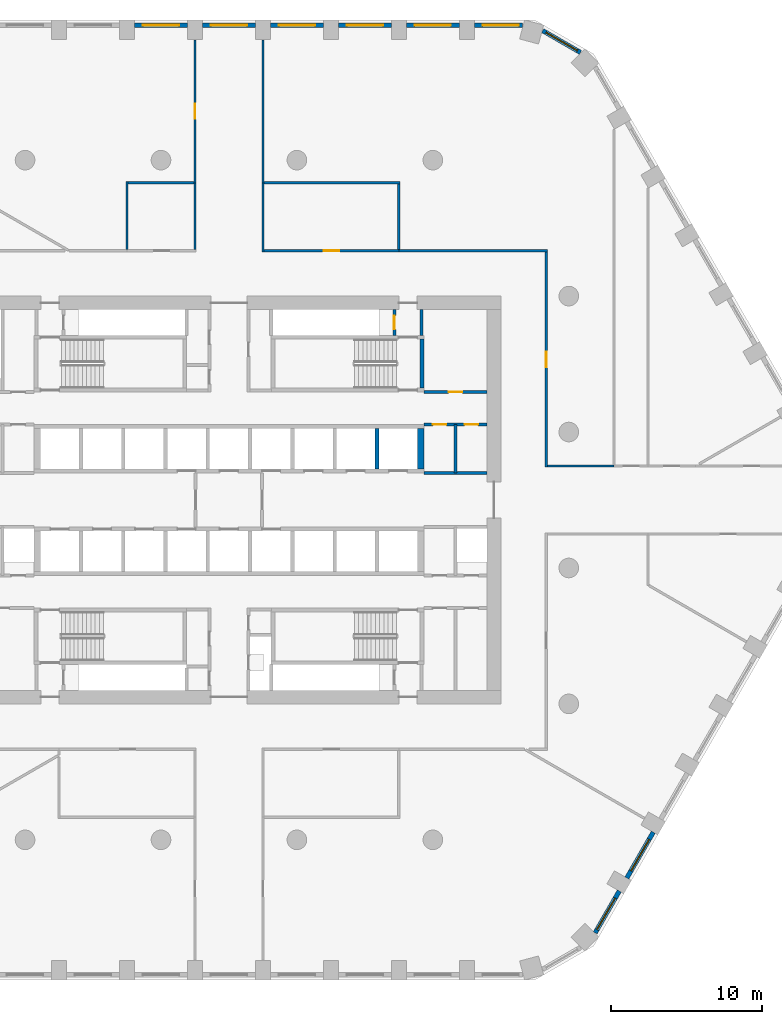
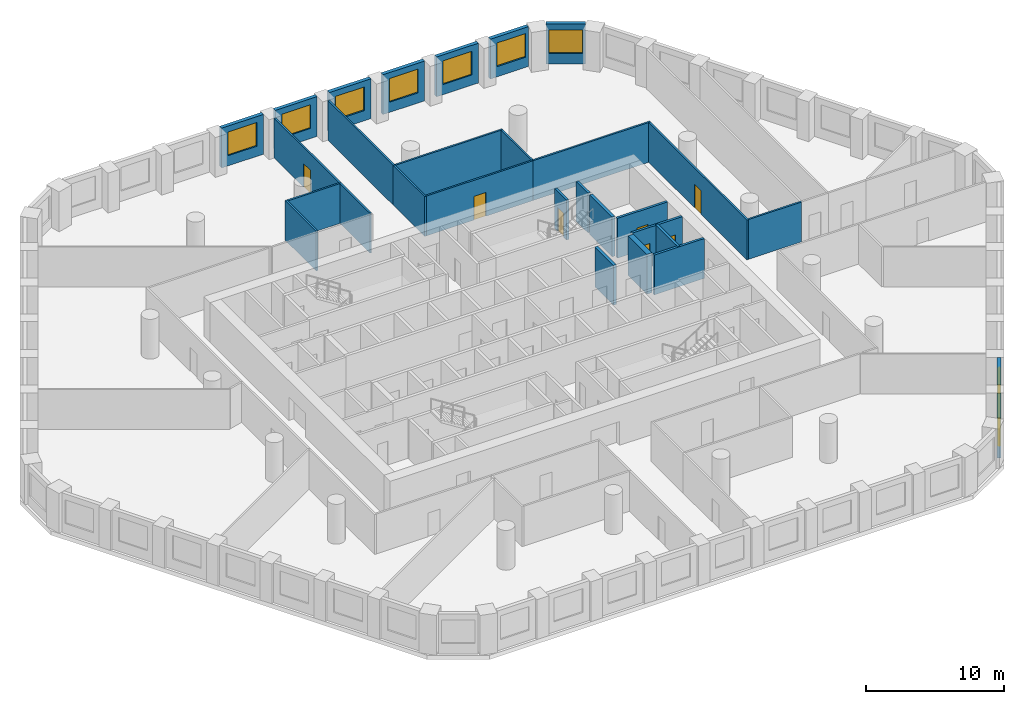
# One storey, part 7 of 10: 30 walls, 9 windows, 7 doors, 16 openings.
"""IFC4 building model written with IfcOpenShell, lengths in metres."""

from ifc_helpers import new_model, si_unit, direction, frame, frame_2d, origin, place, context, subcontext, project, spatial, polyline, rectangle, outline, extrude, material, layer, layer_set, type_object, element, fill, save


model = new_model("IFC4")

# Units and contexts
model_context = context("Model", 3, precision=1e-05, world=origin(), true_north=direction((0.0, 1.0)))
body_context = subcontext(model_context, "Body", "Model", "MODEL_VIEW")
ifc_project = project(units=[si_unit("LENGTHUNIT", "METRE"), si_unit("AREAUNIT", "SQUARE_METRE"), si_unit("VOLUMEUNIT", "CUBIC_METRE"), si_unit("PLANEANGLEUNIT", "RADIAN"), si_unit("MASSUNIT", "GRAM", prefix="KILO")], contexts=[model_context])

# Site, building, storey
site_placement = place(None, origin())
site = spatial("IfcSite", under=ifc_project, at=site_placement, CompositionType="ELEMENT")
building_placement = place(site_placement, origin())
building = spatial("IfcBuilding", under=site, at=building_placement, Name="Dhurran Vertical Campus", CompositionType="ELEMENT")
storey_placement = place(building_placement, frame((0.0, 0.0, 89.10009765625)))
storey = spatial("IfcBuildingStorey", under=building, at=storey_placement, Name="L21", CompositionType="ELEMENT", Elevation=89.10009765625)

# Wall, opening, window
ifc_material_1 = material(Name="Precast concrete C50/60", Category="concrete")
ifc_layer_1 = layer(ifc_material_1, 0.300048828125)
ifc_layer_set_1 = layer_set([ifc_layer_1], Name="Precast concrete C50/60")
wall_type_1 = type_object("IfcWallType", Name="Precast spandrel wall 300", PredefinedType="SOLIDWALL", material=ifc_layer_set_1)
wall_1_placement = place(storey_placement, frame((24.24755859375, -28.65576171875, 0.0), z_axis=(0.0, 0.0, 1.0), x_axis=(0.500004907028, 0.866022570692, 0.0)))
wall_1 = element("IfcWall", 1, at=wall_1_placement, inside=storey, type_object=wall_type_1, Name="EW1 L21.10", PredefinedType="SOLIDWALL", context=body_context, shape_type="SweptSolid", body=[
    extrude(rectangle(XDim=3.1923828125, YDim=0.300048828125, at=frame_2d((1.59619140625, 0.0))), origin(), (0.0, 0.0, 1.0), 3.52490234375),
])
opening_1_placement = place(wall_1_placement, frame((0.242919921875, 0.0, 0.89990234375)))
opening_1 = element("IfcOpeningElement", 2, at=opening_1_placement, cuts=wall_1, Name="Opening WT1", PredefinedType="OPENING", context=body_context, shape_type="SweptSolid", body=[
    extrude(rectangle(XDim=2.39990234375, YDim=2.10009765625, at=frame_2d((1.199951171875, 1.050048828125))), frame((0.0, 0.159912109375, 0.0), z_axis=(0.0, -1.0, 0.0), x_axis=(1.0, 0.0, 0.0)), (0.0, 0.0, 1.0), 0.320068359375),
])
ifc_material_2 = material(Name="Aluminium frame with solar-control glass", Category="aluminium")
window_type = type_object("IfcWindowType", Name="Punched window 2400 x 2100", PartitioningType="SINGLE_PANEL", PredefinedType="WINDOW", material=ifc_material_2)
window_1_placement = place(opening_1_placement, origin())
window_1 = element("IfcWindow", 3, at=window_1_placement, inside=storey, type_object=window_type, Name="WT1 L21.10", OverallHeight=2.10009765625, OverallWidth=2.39990234375, PartitioningType="SINGLE_PANEL", PredefinedType="WINDOW", context=body_context, shape_type="SweptSolid", body=[
    extrude(rectangle(XDim=2.39990234375, YDim=2.10009765625, at=frame_2d((1.199951171875, 1.050048828125))), frame((0.0, 0.030029296875, 0.0), z_axis=(0.0, -1.0, 0.0), x_axis=(1.0, 0.0, 0.0)), (0.0, 0.0, 1.0), 0.06005859375),
])
fill(opening_1, window_1)

wall_2_placement = place(storey_placement, frame((26.34423828125, -25.024169921875, 0.0), z_axis=(0.0, 0.0, 1.0), x_axis=(0.499996256241, 0.866027565234, 0.0)))
wall_2 = element("IfcWall", 4, at=wall_2_placement, inside=storey, type_object=wall_type_1, Name="EW1 L21.11", PredefinedType="SOLIDWALL", context=body_context, shape_type="SweptSolid", body=[
    extrude(rectangle(XDim=3.4990234375, YDim=0.300048828125, at=frame_2d((1.74951171875, 0.0))), origin(), (0.0, 0.0, 1.0), 3.52490234375),
])
opening_2_placement = place(wall_2_placement, frame((0.549560546875, 0.0, 0.89990234375)))
opening_2 = element("IfcOpeningElement", 5, at=opening_2_placement, cuts=wall_2, Name="Opening WT1", PredefinedType="OPENING", context=body_context, shape_type="SweptSolid", body=[
    extrude(rectangle(XDim=2.39990234375, YDim=2.10009765625, at=frame_2d((1.199951171875, 1.050048828125))), frame((0.0, 0.159912109375, 0.0), z_axis=(0.0, -1.0, 0.0), x_axis=(1.0, 0.0, 0.0)), (0.0, 0.0, 1.0), 0.320068359375),
])
window_2_placement = place(opening_2_placement, origin())
window_2 = element("IfcWindow", 6, at=window_2_placement, inside=storey, type_object=window_type, Name="WT1 L21.11", OverallHeight=2.10009765625, OverallWidth=2.39990234375, PartitioningType="SINGLE_PANEL", PredefinedType="WINDOW", context=body_context, shape_type="SweptSolid", body=[
    extrude(rectangle(XDim=2.39990234375, YDim=2.10009765625, at=frame_2d((1.199951171875, 1.050048828125))), frame((0.0, 0.030029296875, 0.0), z_axis=(0.0, -1.0, 0.0), x_axis=(1.0, 0.0, 0.0)), (0.0, 0.0, 1.0), 0.06005859375),
])
fill(opening_2, window_2)

wall_3_placement = place(storey_placement, frame((23.273193359375, 29.63037109375, 0.0), z_axis=(0.0, 0.0, 1.0), x_axis=(-0.866053149362, 0.49995194017, 0.0)))
wall_3 = element("IfcWall", 7, at=wall_3_placement, inside=storey, type_object=wall_type_1, Name="EW1 L21.25", PredefinedType="SOLIDWALL", context=body_context, shape_type="SweptSolid", body=[
    extrude(rectangle(XDim=2.885498046875, YDim=0.300048828125, at=frame_2d((1.44287109375, 0.0))), origin(), (0.0, 0.0, 1.0), 3.52490234375),
])
opening_3_placement = place(wall_3_placement, frame((0.242919921875, 0.0, 0.89990234375)))
opening_3 = element("IfcOpeningElement", 8, at=opening_3_placement, cuts=wall_3, Name="Opening WT1", PredefinedType="OPENING", context=body_context, shape_type="SweptSolid", body=[
    extrude(rectangle(XDim=2.39990234375, YDim=2.10009765625, at=frame_2d((1.199951171875, 1.050048828125))), frame((0.0, 0.159912109375, 0.0), z_axis=(0.0, -1.0, 0.0), x_axis=(1.0, 0.0, 0.0)), (0.0, 0.0, 1.0), 0.320068359375),
])
window_3_placement = place(opening_3_placement, origin())
window_3 = element("IfcWindow", 9, at=window_3_placement, inside=storey, type_object=window_type, Name="WT1 L21.25", OverallHeight=2.10009765625, OverallWidth=2.39990234375, PartitioningType="SINGLE_PANEL", PredefinedType="WINDOW", context=body_context, shape_type="SweptSolid", body=[
    extrude(rectangle(XDim=2.39990234375, YDim=2.10009765625, at=frame_2d((1.199951171875, 1.050048828125))), frame((0.0, 0.030029296875, 0.0), z_axis=(0.0, -1.0, 0.0), x_axis=(1.0, 0.0, 0.0)), (0.0, 0.0, 1.0), 0.06005859375),
])
fill(opening_3, window_3)

wall_4_placement = place(storey_placement, frame((19.44287109375, 31.4296875, 0.0), z_axis=(0.0, 0.0, 1.0), x_axis=(-1.0, 0.0, 0.0)))
wall_4 = element("IfcWall", 10, at=wall_4_placement, inside=storey, type_object=wall_type_1, Name="EW1 L21.26", PredefinedType="SOLIDWALL", context=body_context, shape_type="SweptSolid", body=[
    extrude(rectangle(XDim=3.1923828125, YDim=0.300048828125, at=frame_2d((1.59619140625, 0.0))), origin(), (0.0, 0.0, 1.0), 3.52490234375),
])
opening_4_placement = place(wall_4_placement, frame((0.242919921875, 0.0, 0.89990234375)))
opening_4 = element("IfcOpeningElement", 11, at=opening_4_placement, cuts=wall_4, Name="Opening WT1", PredefinedType="OPENING", context=body_context, shape_type="SweptSolid", body=[
    extrude(rectangle(XDim=2.39990234375, YDim=2.10009765625, at=frame_2d((1.199951171875, 1.050048828125))), frame((0.0, 0.159912109375, 0.0), z_axis=(0.0, -1.0, 0.0), x_axis=(1.0, 0.0, 0.0)), (0.0, 0.0, 1.0), 0.320068359375),
])
window_4_placement = place(opening_4_placement, origin())
window_4 = element("IfcWindow", 12, at=window_4_placement, inside=storey, type_object=window_type, Name="WT1 L21.26", OverallHeight=2.10009765625, OverallWidth=2.39990234375, PartitioningType="SINGLE_PANEL", PredefinedType="WINDOW", context=body_context, shape_type="SweptSolid", body=[
    extrude(rectangle(XDim=2.39990234375, YDim=2.10009765625, at=frame_2d((1.199951171875, 1.050048828125))), frame((0.0, 0.030029296875, 0.0), z_axis=(0.0, -1.0, 0.0), x_axis=(1.0, 0.0, 0.0)), (0.0, 0.0, 1.0), 0.06005859375),
])
fill(opening_4, window_4)

wall_5_placement = place(storey_placement, frame((15.24951171875, 31.4296875, 0.0), z_axis=(0.0, 0.0, 1.0), x_axis=(-1.0, 0.0, 0.0)))
wall_5 = element("IfcWall", 13, at=wall_5_placement, inside=storey, type_object=wall_type_1, Name="EW1 L21.27", PredefinedType="SOLIDWALL", context=body_context, shape_type="SweptSolid", body=[
    extrude(rectangle(XDim=3.4990234375, YDim=0.300048828125, at=frame_2d((1.74951171875, 0.0))), origin(), (0.0, 0.0, 1.0), 3.52490234375),
])
opening_5_placement = place(wall_5_placement, frame((0.549560546875, 0.0, 0.89990234375)))
opening_5 = element("IfcOpeningElement", 14, at=opening_5_placement, cuts=wall_5, Name="Opening WT1", PredefinedType="OPENING", context=body_context, shape_type="SweptSolid", body=[
    extrude(rectangle(XDim=2.39990234375, YDim=2.10009765625, at=frame_2d((1.199951171875, 1.050048828125))), frame((0.0, 0.159912109375, 0.0), z_axis=(0.0, -1.0, 0.0), x_axis=(1.0, 0.0, 0.0)), (0.0, 0.0, 1.0), 0.320068359375),
])
window_5_placement = place(opening_5_placement, origin())
window_5 = element("IfcWindow", 15, at=window_5_placement, inside=storey, type_object=window_type, Name="WT1 L21.27", OverallHeight=2.10009765625, OverallWidth=2.39990234375, PartitioningType="SINGLE_PANEL", PredefinedType="WINDOW", context=body_context, shape_type="SweptSolid", body=[
    extrude(rectangle(XDim=2.39990234375, YDim=2.10009765625, at=frame_2d((1.199951171875, 1.050048828125))), frame((0.0, 0.030029296875, 0.0), z_axis=(0.0, -1.0, 0.0), x_axis=(1.0, 0.0, 0.0)), (0.0, 0.0, 1.0), 0.06005859375),
])
fill(opening_5, window_5)

wall_6_placement = place(storey_placement, frame((10.74951171875, 31.4296875, 0.0), z_axis=(0.0, 0.0, 1.0), x_axis=(-1.0, 0.0, 0.0)))
wall_6 = element("IfcWall", 16, at=wall_6_placement, inside=storey, type_object=wall_type_1, Name="EW1 L21.28", PredefinedType="SOLIDWALL", context=body_context, shape_type="SweptSolid", body=[
    extrude(rectangle(XDim=3.4990234375, YDim=0.300048828125, at=frame_2d((1.74951171875, 0.0))), origin(), (0.0, 0.0, 1.0), 3.52490234375),
])
opening_6_placement = place(wall_6_placement, frame((0.549560546875, 0.0, 0.89990234375)))
opening_6 = element("IfcOpeningElement", 17, at=opening_6_placement, cuts=wall_6, Name="Opening WT1", PredefinedType="OPENING", context=body_context, shape_type="SweptSolid", body=[
    extrude(rectangle(XDim=2.39990234375, YDim=2.10009765625, at=frame_2d((1.199951171875, 1.050048828125))), frame((0.0, 0.159912109375, 0.0), z_axis=(0.0, -1.0, 0.0), x_axis=(1.0, 0.0, 0.0)), (0.0, 0.0, 1.0), 0.320068359375),
])
window_6_placement = place(opening_6_placement, origin())
window_6 = element("IfcWindow", 18, at=window_6_placement, inside=storey, type_object=window_type, Name="WT1 L21.28", OverallHeight=2.10009765625, OverallWidth=2.39990234375, PartitioningType="SINGLE_PANEL", PredefinedType="WINDOW", context=body_context, shape_type="SweptSolid", body=[
    extrude(rectangle(XDim=2.39990234375, YDim=2.10009765625, at=frame_2d((1.199951171875, 1.050048828125))), frame((0.0, 0.030029296875, 0.0), z_axis=(0.0, -1.0, 0.0), x_axis=(1.0, 0.0, 0.0)), (0.0, 0.0, 1.0), 0.06005859375),
])
fill(opening_6, window_6)

wall_7_placement = place(storey_placement, frame((6.24951171875, 31.4296875, 0.0), z_axis=(0.0, 0.0, 1.0), x_axis=(-1.0, 0.0, 0.0)))
wall_7 = element("IfcWall", 19, at=wall_7_placement, inside=storey, type_object=wall_type_1, Name="EW1 L21.29", PredefinedType="SOLIDWALL", context=body_context, shape_type="SweptSolid", body=[
    extrude(rectangle(XDim=3.4990234375, YDim=0.300048828125, at=frame_2d((1.74951171875, 0.0))), origin(), (0.0, 0.0, 1.0), 3.52490234375),
])
opening_7_placement = place(wall_7_placement, frame((0.549560546875, 0.0, 0.89990234375)))
opening_7 = element("IfcOpeningElement", 20, at=opening_7_placement, cuts=wall_7, Name="Opening WT1", PredefinedType="OPENING", context=body_context, shape_type="SweptSolid", body=[
    extrude(rectangle(XDim=2.39990234375, YDim=2.10009765625, at=frame_2d((1.199951171875, 1.050048828125))), frame((0.0, 0.159912109375, 0.0), z_axis=(0.0, -1.0, 0.0), x_axis=(1.0, 0.0, 0.0)), (0.0, 0.0, 1.0), 0.320068359375),
])
window_7_placement = place(opening_7_placement, origin())
window_7 = element("IfcWindow", 21, at=window_7_placement, inside=storey, type_object=window_type, Name="WT1 L21.29", OverallHeight=2.10009765625, OverallWidth=2.39990234375, PartitioningType="SINGLE_PANEL", PredefinedType="WINDOW", context=body_context, shape_type="SweptSolid", body=[
    extrude(rectangle(XDim=2.39990234375, YDim=2.10009765625, at=frame_2d((1.199951171875, 1.050048828125))), frame((0.0, 0.030029296875, 0.0), z_axis=(0.0, -1.0, 0.0), x_axis=(1.0, 0.0, 0.0)), (0.0, 0.0, 1.0), 0.06005859375),
])
fill(opening_7, window_7)

wall_8_placement = place(storey_placement, frame((1.74951171875, 31.4296875, 0.0), z_axis=(0.0, 0.0, 1.0), x_axis=(-1.0, 0.0, 0.0)))
wall_8 = element("IfcWall", 22, at=wall_8_placement, inside=storey, type_object=wall_type_1, Name="EW1 L21.30", PredefinedType="SOLIDWALL", context=body_context, shape_type="SweptSolid", body=[
    extrude(rectangle(XDim=3.4990234375, YDim=0.300048828125, at=frame_2d((1.74951171875, 0.0))), origin(), (0.0, 0.0, 1.0), 3.52490234375),
])
opening_8_placement = place(wall_8_placement, frame((0.549560546875, 0.0, 0.89990234375)))
opening_8 = element("IfcOpeningElement", 23, at=opening_8_placement, cuts=wall_8, Name="Opening WT1", PredefinedType="OPENING", context=body_context, shape_type="SweptSolid", body=[
    extrude(rectangle(XDim=2.39990234375, YDim=2.10009765625, at=frame_2d((1.199951171875, 1.050048828125))), frame((0.0, 0.159912109375, 0.0), z_axis=(0.0, -1.0, 0.0), x_axis=(1.0, 0.0, 0.0)), (0.0, 0.0, 1.0), 0.320068359375),
])
window_8_placement = place(opening_8_placement, origin())
window_8 = element("IfcWindow", 24, at=window_8_placement, inside=storey, type_object=window_type, Name="WT1 L21.30", OverallHeight=2.10009765625, OverallWidth=2.39990234375, PartitioningType="SINGLE_PANEL", PredefinedType="WINDOW", context=body_context, shape_type="SweptSolid", body=[
    extrude(rectangle(XDim=2.39990234375, YDim=2.10009765625, at=frame_2d((1.199951171875, 1.050048828125))), frame((0.0, 0.030029296875, 0.0), z_axis=(0.0, -1.0, 0.0), x_axis=(1.0, 0.0, 0.0)), (0.0, 0.0, 1.0), 0.06005859375),
])
fill(opening_8, window_8)

wall_9_placement = place(storey_placement, frame((-2.75048828125, 31.4296875, 0.0), z_axis=(0.0, 0.0, 1.0), x_axis=(-1.0, 0.0, 0.0)))
wall_9 = element("IfcWall", 25, at=wall_9_placement, inside=storey, type_object=wall_type_1, Name="EW1 L21.31", PredefinedType="SOLIDWALL", context=body_context, shape_type="SweptSolid", body=[
    extrude(rectangle(XDim=3.4990234375, YDim=0.300048828125, at=frame_2d((1.74951171875, 0.0))), origin(), (0.0, 0.0, 1.0), 3.52490234375),
])
opening_9_placement = place(wall_9_placement, frame((0.549560546875, 0.0, 0.89990234375)))
opening_9 = element("IfcOpeningElement", 26, at=opening_9_placement, cuts=wall_9, Name="Opening WT1", PredefinedType="OPENING", context=body_context, shape_type="SweptSolid", body=[
    extrude(rectangle(XDim=2.39990234375, YDim=2.10009765625, at=frame_2d((1.199951171875, 1.050048828125))), frame((0.0, 0.159912109375, 0.0), z_axis=(0.0, -1.0, 0.0), x_axis=(1.0, 0.0, 0.0)), (0.0, 0.0, 1.0), 0.320068359375),
])
window_9_placement = place(opening_9_placement, origin())
window_9 = element("IfcWindow", 27, at=window_9_placement, inside=storey, type_object=window_type, Name="WT1 L21.31", OverallHeight=2.10009765625, OverallWidth=2.39990234375, PartitioningType="SINGLE_PANEL", PredefinedType="WINDOW", context=body_context, shape_type="SweptSolid", body=[
    extrude(rectangle(XDim=2.39990234375, YDim=2.10009765625, at=frame_2d((1.199951171875, 1.050048828125))), frame((0.0, 0.030029296875, 0.0), z_axis=(0.0, -1.0, 0.0), x_axis=(1.0, 0.0, 0.0)), (0.0, 0.0, 1.0), 0.06005859375),
])
fill(opening_9, window_9)

# Wall
ifc_material_3 = material(Name="Fire-rated masonry blockwork", Category="masonry")
ifc_layer_2 = layer(ifc_material_3, 0.199951171875)
ifc_layer_set_2 = layer_set([ifc_layer_2], Name="Fire-rated masonry blockwork")
wall_type_2 = type_object("IfcWallType", Name="co-FIRE-PARTITION-200", PredefinedType="PARTITIONING", material=ifc_layer_set_2)
wall_10_placement = place(storey_placement, frame((12.75, 10.89990234375, 0.0), z_axis=(0.0, 0.0, 1.0), x_axis=(0.0, 1.0, 0.0)))
element("IfcWall", 28, at=wall_10_placement, inside=storey, type_object=wall_type_2, Name="Core partition pass-ST2-o L21", PredefinedType="PARTITIONING", context=body_context, shape_type="SweptSolid", body=[
    extrude(rectangle(XDim=1.7001953125, YDim=0.199951171875, at=frame_2d((0.85009765625, 0.0))), origin(), (0.0, 0.0, 1.0), 3.52490234375),
])

# Wall, opening, door
wall_11_placement = place(storey_placement, frame((10.949951171875, 10.89990234375, 0.0), z_axis=(0.0, 0.0, 1.0), x_axis=(0.0, 1.0, 0.0)))
wall_11 = element("IfcWall", 29, at=wall_11_placement, inside=storey, type_object=wall_type_2, Name="Core partition pass-ST2-i L21", PredefinedType="PARTITIONING", context=body_context, shape_type="SweptSolid", body=[
    extrude(rectangle(XDim=1.7001953125, YDim=0.199951171875, at=frame_2d((0.85009765625, 0.0))), origin(), (0.0, 0.0, 1.0), 3.52490234375),
])
opening_10_placement = place(wall_11_placement, frame((0.39990234375, 0.0, 0.0)))
opening_10 = element("IfcOpeningElement", 30, at=opening_10_placement, cuts=wall_11, Name="Opening T05-C9", PredefinedType="OPENING", context=body_context, shape_type="SweptSolid", body=[
    extrude(rectangle(XDim=0.89990234375, YDim=2.10009765625, at=frame_2d((0.449951171875, 1.050048828125))), frame((0.0, 0.10986328125, 0.0), z_axis=(0.0, -1.0, 0.0), x_axis=(1.0, 0.0, 0.0)), (0.0, 0.0, 1.0), 0.219970703125),
])
ifc_material_4 = material(Name="Fire-rated timber door set", Category="wood")
door_type_1 = type_object("IfcDoorType", Name="co-D-ROOM 900x2100", OperationType="SINGLE_SWING_LEFT", PredefinedType="DOOR", material=ifc_material_4)
door_1_placement = place(opening_10_placement, origin())
door_1 = element("IfcDoor", 31, at=door_1_placement, inside=storey, type_object=door_type_1, Name="Riser room door L21", OperationType="SINGLE_SWING_LEFT", OverallHeight=2.10009765625, OverallWidth=0.89990234375, PredefinedType="DOOR", context=body_context, shape_type="SweptSolid", body=[
    extrude(rectangle(XDim=0.89990234375, YDim=2.10009765625, at=frame_2d((0.449951171875, 1.050048828125))), frame((0.0, 0.02490234375, 0.0), z_axis=(0.0, -1.0, 0.0), x_axis=(1.0, 0.0, 0.0)), (0.0, 0.0, 1.0), 0.050048828125),
])
fill(opening_10, door_1)

wall_12_placement = place(storey_placement, frame((12.89990234375, 7.14990234375, 0.0), z_axis=(0.0, 0.0, 1.0), x_axis=(1.0, 0.0, 0.0)))
wall_12 = element("IfcWall", 32, at=wall_12_placement, inside=storey, type_object=wall_type_2, Name="Core partition en-NE-w L21", PredefinedType="PARTITIONING", context=body_context, shape_type="SweptSolid", body=[
    extrude(rectangle(XDim=4.2001953125, YDim=0.199951171875, at=frame_2d((2.10009765625, 0.0))), origin(), (0.0, 0.0, 1.0), 3.52490234375),
])
opening_11_placement = place(wall_12_placement, frame((1.64990234375, 0.0, 0.0)))
opening_11 = element("IfcOpeningElement", 33, at=opening_11_placement, cuts=wall_12, Name="Opening T05-C16", PredefinedType="OPENING", context=body_context, shape_type="SweptSolid", body=[
    extrude(rectangle(XDim=0.89990234375, YDim=2.10009765625, at=frame_2d((0.449951171875, 1.050048828125))), frame((0.0, 0.10986328125, 0.0), z_axis=(0.0, -1.0, 0.0), x_axis=(1.0, 0.0, 0.0)), (0.0, 0.0, 1.0), 0.219970703125),
])
door_2_placement = place(opening_11_placement, origin())
door_2 = element("IfcDoor", 34, at=door_2_placement, inside=storey, type_object=door_type_1, Name="Waste room door L21", OperationType="SINGLE_SWING_LEFT", OverallHeight=2.10009765625, OverallWidth=0.89990234375, PredefinedType="DOOR", context=body_context, shape_type="SweptSolid", body=[
    extrude(rectangle(XDim=0.89990234375, YDim=2.10009765625, at=frame_2d((0.449951171875, 1.050048828125))), frame((0.0, 0.02490234375, 0.0), z_axis=(0.0, -1.0, 0.0), x_axis=(1.0, 0.0, 0.0)), (0.0, 0.0, 1.0), 0.050048828125),
])
fill(opening_11, door_2)

# Wall
wall_13_placement = place(storey_placement, frame((15.0, 1.800048828125, 0.0), z_axis=(0.0, 0.0, 1.0), x_axis=(0.0, 1.0, 0.0)))
element("IfcWall", 35, at=wall_13_placement, inside=storey, type_object=wall_type_2, Name="Core partition es-NE-cut0 L21", PredefinedType="PARTITIONING", context=body_context, shape_type="SweptSolid", body=[
    extrude(rectangle(XDim=3.199951171875, YDim=0.199951171875, at=frame_2d((1.60009765625, 0.0))), origin(), (0.0, 0.0, 1.0), 3.52490234375),
])

# Wall, openings, doors
wall_14_placement = place(storey_placement, frame((12.89990234375, 5.0, 0.0), z_axis=(0.0, 0.0, 1.0), x_axis=(1.0, 0.0, 0.0)))
wall_14 = element("IfcWall", 36, at=wall_14_placement, inside=storey, type_object=wall_type_2, Name="Core partition es-NE-w L21", PredefinedType="PARTITIONING", context=body_context, shape_type="SweptSolid", body=[
    extrude(rectangle(XDim=4.2001953125, YDim=0.199951171875, at=frame_2d((2.10009765625, 0.0))), origin(), (0.0, 0.0, 1.0), 3.52490234375),
])
opening_12_placement = place(wall_14_placement, frame((0.60009765625, 0.0, 0.0)))
opening_12 = element("IfcOpeningElement", 37, at=opening_12_placement, cuts=wall_14, Name="Opening T05-C17", PredefinedType="OPENING", context=body_context, shape_type="SweptSolid", body=[
    extrude(rectangle(XDim=0.89990234375, YDim=2.10009765625, at=frame_2d((0.449951171875, 1.050048828125))), frame((0.0, 0.10986328125, 0.0), z_axis=(0.0, -1.0, 0.0), x_axis=(1.0, 0.0, 0.0)), (0.0, 0.0, 1.0), 0.219970703125),
])
opening_13_placement = place(wall_14_placement, frame((2.699951171875, 0.0, 0.0)))
opening_13 = element("IfcOpeningElement", 38, at=opening_13_placement, cuts=wall_14, Name="Opening T05-C18", PredefinedType="OPENING", context=body_context, shape_type="SweptSolid", body=[
    extrude(rectangle(XDim=0.89990234375, YDim=2.10009765625, at=frame_2d((0.449951171875, 1.050048828125))), frame((0.0, 0.10986328125, 0.0), z_axis=(0.0, -1.0, 0.0), x_axis=(1.0, 0.0, 0.0)), (0.0, 0.0, 1.0), 0.219970703125),
])
door_3_placement = place(opening_12_placement, origin())
door_3 = element("IfcDoor", 39, at=door_3_placement, inside=storey, type_object=door_type_1, Name="Server room door L21", OperationType="SINGLE_SWING_LEFT", OverallHeight=2.10009765625, OverallWidth=0.89990234375, PredefinedType="DOOR", context=body_context, shape_type="SweptSolid", body=[
    extrude(rectangle(XDim=0.89990234375, YDim=2.10009765625, at=frame_2d((0.449951171875, 1.050048828125))), frame((0.0, 0.02490234375, 0.0), z_axis=(0.0, -1.0, 0.0), x_axis=(1.0, 0.0, 0.0)), (0.0, 0.0, 1.0), 0.050048828125),
])
fill(opening_12, door_3)
door_4_placement = place(opening_13_placement, origin())
door_4 = element("IfcDoor", 40, at=door_4_placement, inside=storey, type_object=door_type_1, Name="Housekeeping store door L21", OperationType="SINGLE_SWING_LEFT", OverallHeight=2.10009765625, OverallWidth=0.89990234375, PredefinedType="DOOR", context=body_context, shape_type="SweptSolid", body=[
    extrude(rectangle(XDim=0.89990234375, YDim=2.10009765625, at=frame_2d((0.449951171875, 1.050048828125))), frame((0.0, 0.02490234375, 0.0), z_axis=(0.0, -1.0, 0.0), x_axis=(1.0, 0.0, 0.0)), (0.0, 0.0, 1.0), 0.050048828125),
])
fill(opening_13, door_4)

# Walls
wall_15_placement = place(storey_placement, frame((12.89990234375, 1.800048828125, 0.0), z_axis=(0.0, 0.0, 1.0), x_axis=(1.0, 0.0, 0.0)))
element("IfcWall", 41, at=wall_15_placement, inside=storey, type_object=wall_type_2, Name="Core partition es-NE-l L21", PredefinedType="PARTITIONING", context=body_context, shape_type="SweptSolid", body=[
    extrude(rectangle(XDim=4.2001953125, YDim=0.199951171875, at=frame_2d((2.10009765625, 0.0))), origin(), (0.0, 0.0, 1.0), 3.52490234375),
])
ifc_material_5 = material(Name="Concrete C50/60", Category="concrete")
ifc_layer_3 = layer(ifc_material_5, 0.25)
ifc_layer_set_3 = layer_set([ifc_layer_3], Name="Concrete C50/60")
wall_type_3 = type_object("IfcWallType", Name="co-SHAFT-MASS-250", PredefinedType="SHEAR", material=ifc_layer_set_3)
wall_16_placement = place(storey_placement, origin())
element("IfcWall", 42, at=wall_16_placement, inside=storey, type_object=wall_type_3, Name="Lift shaft wall N L21 10", PredefinedType="SHEAR", context=body_context, shape_type="SweptSolid", body=[
    extrude(outline(polyline([(9.675048828125, 2.050048828125), (9.925048828125, 2.050048828125), (9.925048828125, 4.75), (9.675048828125, 4.75), (9.675048828125, 2.050048828125)])), origin(), (0.0, 0.0, 1.0), 3.52490234375),
])
wall_17_placement = place(storey_placement, origin())
element("IfcWall", 43, at=wall_17_placement, inside=storey, type_object=wall_type_3, Name="Lift shaft wall N L21 11", PredefinedType="SHEAR", context=body_context, shape_type="SweptSolid", body=[
    extrude(outline(polyline([(12.47509765625, 2.050048828125), (12.89990234375, 2.050048828125), (12.89990234375, 4.75), (12.47509765625, 4.75), (12.47509765625, 2.050048828125)])), origin(), (0.0, 0.0, 1.0), 3.52490234375),
])
ifc_material_6 = material(Name="Concrete C40/50", Category="concrete")
ifc_layer_4 = layer(ifc_material_6, 0.25)
ifc_layer_set_4 = layer_set([ifc_layer_4], Name="Concrete C40/50")
wall_type_4 = type_object("IfcWallType", Name="co-STAIR-WALL-250", PredefinedType="SHEAR", material=ifc_layer_set_4)
wall_18_placement = place(storey_placement, frame((12.77490234375, 7.39990234375, 0.0), z_axis=(0.0, 0.0, 1.0), x_axis=(0.0, 1.0, 0.0)))
element("IfcWall", 44, at=wall_18_placement, inside=storey, type_object=wall_type_4, Name="Stair ST2 enclosure wall L21", PredefinedType="SHEAR", context=body_context, shape_type="SweptSolid", body=[
    extrude(rectangle(XDim=3.25, YDim=0.25, at=frame_2d((1.625, 0.0))), origin(), (0.0, 0.0, 1.0), 3.52490234375),
])
ifc_material_7 = material(Name="Gypsum board corridor wall on steel studs", Category="steel")
ifc_layer_5 = layer(ifc_material_7, 0.14990234375)
ifc_layer_set_5 = layer_set([ifc_layer_5], Name="Gypsum board corridor wall on steel studs")
wall_type_5 = type_object("IfcWallType", Name="fl-CW-150 corridor wall", PredefinedType="PARTITIONING", material=ifc_layer_set_5)
wall_19_placement = place(storey_placement, frame((-2.25, 16.574951171875, 0.0), z_axis=(0.0, 0.0, 1.0), x_axis=(0.0, 1.0, 0.0)))
element("IfcWall", 45, at=wall_19_placement, inside=storey, type_object=wall_type_5, Name="Partition 21-21", PredefinedType="PARTITIONING", context=body_context, shape_type="SweptSolid", body=[
    extrude(rectangle(XDim=4.425048828125, YDim=0.14990234375, at=frame_2d((2.21240234375, 0.0))), origin(), (0.0, 0.0, 1.0), 3.52490234375),
])

# Wall, opening, door
wall_20_placement = place(storey_placement, frame((-2.25, 21.0, 0.0), z_axis=(0.0, 0.0, 1.0), x_axis=(0.0, 1.0, 0.0)))
wall_20 = element("IfcWall", 46, at=wall_20_placement, inside=storey, type_object=wall_type_5, Name="Partition 21-22", PredefinedType="PARTITIONING", context=body_context, shape_type="SweptSolid", body=[
    extrude(rectangle(XDim=9.459716796875, YDim=0.14990234375, at=frame_2d((4.72998046875, 0.0))), origin(), (0.0, 0.0, 1.0), 3.52490234375),
])
opening_14_placement = place(wall_20_placement, frame((4.22998046875, 0.0, 0.0)))
opening_14 = element("IfcOpeningElement", 47, at=opening_14_placement, cuts=wall_20, Name="Opening T05.05", PredefinedType="OPENING", context=body_context, shape_type="SweptSolid", body=[
    extrude(rectangle(XDim=1.0, YDim=2.10009765625, at=frame_2d((0.5, 1.050048828125))), frame((0.0, 0.0849609375, 0.0), z_axis=(0.0, -1.0, 0.0), x_axis=(1.0, 0.0, 0.0)), (0.0, 0.0, 1.0), 0.169921875),
])
ifc_material_8 = material(Name="Solid-core timber door set, fire-rated", Category="wood")
door_type_2 = type_object("IfcDoorType", Name="fl-D-1000x2100", OperationType="SINGLE_SWING_LEFT", PredefinedType="DOOR", material=ifc_material_8)
door_5_placement = place(opening_14_placement, origin())
door_5 = element("IfcDoor", 48, at=door_5_placement, inside=storey, type_object=door_type_2, Name="Door 21.05", OperationType="SINGLE_SWING_LEFT", OverallHeight=2.10009765625, OverallWidth=1.0, PredefinedType="DOOR", context=body_context, shape_type="SweptSolid", body=[
    extrude(rectangle(XDim=1.0, YDim=2.10009765625, at=frame_2d((0.5, 1.050048828125))), frame((0.0, 0.02490234375, 0.0), z_axis=(0.0, -1.0, 0.0), x_axis=(1.0, 0.0, 0.0)), (0.0, 0.0, 1.0), 0.050048828125),
])
fill(opening_14, door_5)

# Wall
wall_21_placement = place(storey_placement, frame((2.25, 21.0, 0.0), z_axis=(0.0, 0.0, 1.0), x_axis=(0.0, -1.0, 0.0)))
element("IfcWall", 49, at=wall_21_placement, inside=storey, type_object=wall_type_5, Name="Partition 21-27", PredefinedType="PARTITIONING", context=body_context, shape_type="SweptSolid", body=[
    extrude(rectangle(XDim=4.574951171875, YDim=0.14990234375, at=frame_2d((2.28759765625, 0.0))), origin(), (0.0, 0.0, 1.0), 3.52490234375),
])

# Wall, opening, door
wall_22_placement = place(storey_placement, frame((11.25, 16.5, 0.0), z_axis=(0.0, 0.0, 1.0), x_axis=(-1.0, 0.0, 0.0)))
wall_22 = element("IfcWall", 50, at=wall_22_placement, inside=storey, type_object=wall_type_5, Name="Partition 21-28", PredefinedType="PARTITIONING", context=body_context, shape_type="SweptSolid", body=[
    extrude(rectangle(XDim=8.925048828125, YDim=0.14990234375, at=frame_2d((4.46240234375, 0.0))), origin(), (0.0, 0.0, 1.0), 3.52490234375),
])
opening_15_placement = place(wall_22_placement, frame((3.96240234375, 0.0, 0.0)))
opening_15 = element("IfcOpeningElement", 51, at=opening_15_placement, cuts=wall_22, Name="Opening T05.09", PredefinedType="OPENING", context=body_context, shape_type="SweptSolid", body=[
    extrude(rectangle(XDim=1.0, YDim=2.10009765625, at=frame_2d((0.5, 1.050048828125))), frame((0.0, 0.0849609375, 0.0), z_axis=(0.0, -1.0, 0.0), x_axis=(1.0, 0.0, 0.0)), (0.0, 0.0, 1.0), 0.169921875),
])
door_6_placement = place(opening_15_placement, origin())
door_6 = element("IfcDoor", 52, at=door_6_placement, inside=storey, type_object=door_type_2, Name="Door 21.09", OperationType="SINGLE_SWING_RIGHT", OverallHeight=2.10009765625, OverallWidth=1.0, PredefinedType="DOOR", context=body_context, shape_type="SweptSolid", body=[
    extrude(rectangle(XDim=1.0, YDim=2.10009765625, at=frame_2d((0.5, 1.050048828125))), frame((0.0, 0.02490234375, 0.0), z_axis=(0.0, -1.0, 0.0), x_axis=(1.0, 0.0, 0.0)), (0.0, 0.0, 1.0), 0.050048828125),
])
fill(opening_15, door_6)

# Walls
wall_23_placement = place(storey_placement, frame((2.25, 30.459716796875, 0.0), z_axis=(0.0, 0.0, 1.0), x_axis=(0.0, -1.0, 0.0)))
element("IfcWall", 53, at=wall_23_placement, inside=storey, type_object=wall_type_5, Name="Partition 21-29", PredefinedType="PARTITIONING", context=body_context, shape_type="SweptSolid", body=[
    extrude(rectangle(XDim=9.459716796875, YDim=0.14990234375, at=frame_2d((4.72998046875, 0.0))), origin(), (0.0, 0.0, 1.0), 3.52490234375),
])
wall_24_placement = place(storey_placement, frame((21.074951171875, 16.5, 0.0), z_axis=(0.0, 0.0, 1.0), x_axis=(-1.0, 0.0, 0.0)))
element("IfcWall", 54, at=wall_24_placement, inside=storey, type_object=wall_type_5, Name="Partition 21-34", PredefinedType="PARTITIONING", context=body_context, shape_type="SweptSolid", body=[
    extrude(rectangle(XDim=9.824951171875, YDim=0.14990234375, at=frame_2d((4.91259765625, 0.0))), origin(), (0.0, 0.0, 1.0), 3.52490234375),
])

# Wall, opening, door
wall_25_placement = place(storey_placement, frame((21.0, 2.175048828125, 0.0), z_axis=(0.0, 0.0, 1.0), x_axis=(0.0, 1.0, 0.0)))
wall_25 = element("IfcWall", 55, at=wall_25_placement, inside=storey, type_object=wall_type_5, Name="Partition 21-39", PredefinedType="PARTITIONING", context=body_context, shape_type="SweptSolid", body=[
    extrude(rectangle(XDim=14.25, YDim=0.14990234375, at=frame_2d((7.125, 0.0))), origin(), (0.0, 0.0, 1.0), 3.52490234375),
])
opening_16_placement = place(wall_25_placement, frame((6.625, 0.0, 0.0)))
opening_16 = element("IfcOpeningElement", 56, at=opening_16_placement, cuts=wall_25, Name="Opening T05.11", PredefinedType="OPENING", context=body_context, shape_type="SweptSolid", body=[
    extrude(rectangle(XDim=1.0, YDim=2.10009765625, at=frame_2d((0.5, 1.050048828125))), frame((0.0, 0.0849609375, 0.0), z_axis=(0.0, -1.0, 0.0), x_axis=(1.0, 0.0, 0.0)), (0.0, 0.0, 1.0), 0.169921875),
])
door_7_placement = place(opening_16_placement, origin())
door_7 = element("IfcDoor", 57, at=door_7_placement, inside=storey, type_object=door_type_2, Name="Door 21.11", OperationType="SINGLE_SWING_RIGHT", OverallHeight=2.10009765625, OverallWidth=1.0, PredefinedType="DOOR", context=body_context, shape_type="SweptSolid", body=[
    extrude(rectangle(XDim=1.0, YDim=2.10009765625, at=frame_2d((0.5, 1.050048828125))), frame((0.0, 0.02490234375, 0.0), z_axis=(0.0, -1.0, 0.0), x_axis=(1.0, 0.0, 0.0)), (0.0, 0.0, 1.0), 0.050048828125),
])
fill(opening_16, door_7)

# Walls
wall_26_placement = place(storey_placement, frame((21.074951171875, 2.25, 0.0), z_axis=(0.0, 0.0, 1.0), x_axis=(1.0, 0.0, 0.0)))
element("IfcWall", 58, at=wall_26_placement, inside=storey, type_object=wall_type_5, Name="Partition 21-40", PredefinedType="PARTITIONING", context=body_context, shape_type="SweptSolid", body=[
    extrude(rectangle(XDim=4.425048828125, YDim=0.14990234375, at=frame_2d((2.21240234375, 0.0))), origin(), (0.0, 0.0, 1.0), 3.52490234375),
])
ifc_material_9 = material(Name="Gypsum board partition on steel studs", Category="steel")
ifc_layer_6 = layer(ifc_material_9, 0.14990234375)
ifc_layer_set_6 = layer_set([ifc_layer_6], Name="Gypsum board partition on steel studs")
wall_type_6 = type_object("IfcWallType", Name="fl-PW-150 fixed partition", PredefinedType="PARTITIONING", material=ifc_layer_set_6)
wall_27_placement = place(storey_placement, frame((-6.75, 21.074951171875, 0.0), z_axis=(0.0, 0.0, 1.0), x_axis=(0.0, -1.0, 0.0)))
element("IfcWall", 59, at=wall_27_placement, inside=storey, type_object=wall_type_6, Name="Partition 21-16", PredefinedType="PARTITIONING", context=body_context, shape_type="SweptSolid", body=[
    extrude(rectangle(XDim=4.5, YDim=0.14990234375, at=frame_2d((2.25, 0.0))), origin(), (0.0, 0.0, 1.0), 3.52490234375),
])
wall_28_placement = place(storey_placement, frame((-2.324951171875, 21.0, 0.0), z_axis=(0.0, 0.0, 1.0), x_axis=(-1.0, 0.0, 0.0)))
element("IfcWall", 60, at=wall_28_placement, inside=storey, type_object=wall_type_6, Name="Partition 21-18", PredefinedType="PARTITIONING", context=body_context, shape_type="SweptSolid", body=[
    extrude(rectangle(XDim=4.35009765625, YDim=0.14990234375, at=frame_2d((2.175048828125, 0.0))), origin(), (0.0, 0.0, 1.0), 3.52490234375),
])
wall_29_placement = place(storey_placement, frame((2.324951171875, 21.0, 0.0), z_axis=(0.0, 0.0, 1.0), x_axis=(1.0, 0.0, 0.0)))
element("IfcWall", 61, at=wall_29_placement, inside=storey, type_object=wall_type_6, Name="Partition 21-30", PredefinedType="PARTITIONING", context=body_context, shape_type="SweptSolid", body=[
    extrude(rectangle(XDim=9.0, YDim=0.14990234375, at=frame_2d((4.5, 0.0))), origin(), (0.0, 0.0, 1.0), 3.52490234375),
])
wall_30_placement = place(storey_placement, frame((11.25, 20.925048828125, 0.0), z_axis=(0.0, 0.0, 1.0), x_axis=(0.0, -1.0, 0.0)))
element("IfcWall", 62, at=wall_30_placement, inside=storey, type_object=wall_type_6, Name="Partition 21-33", PredefinedType="PARTITIONING", context=body_context, shape_type="SweptSolid", body=[
    extrude(rectangle(XDim=4.35009765625, YDim=0.14990234375, at=frame_2d((2.175048828125, 0.0))), origin(), (0.0, 0.0, 1.0), 3.52490234375),
])

save(model, "model.ifc")
